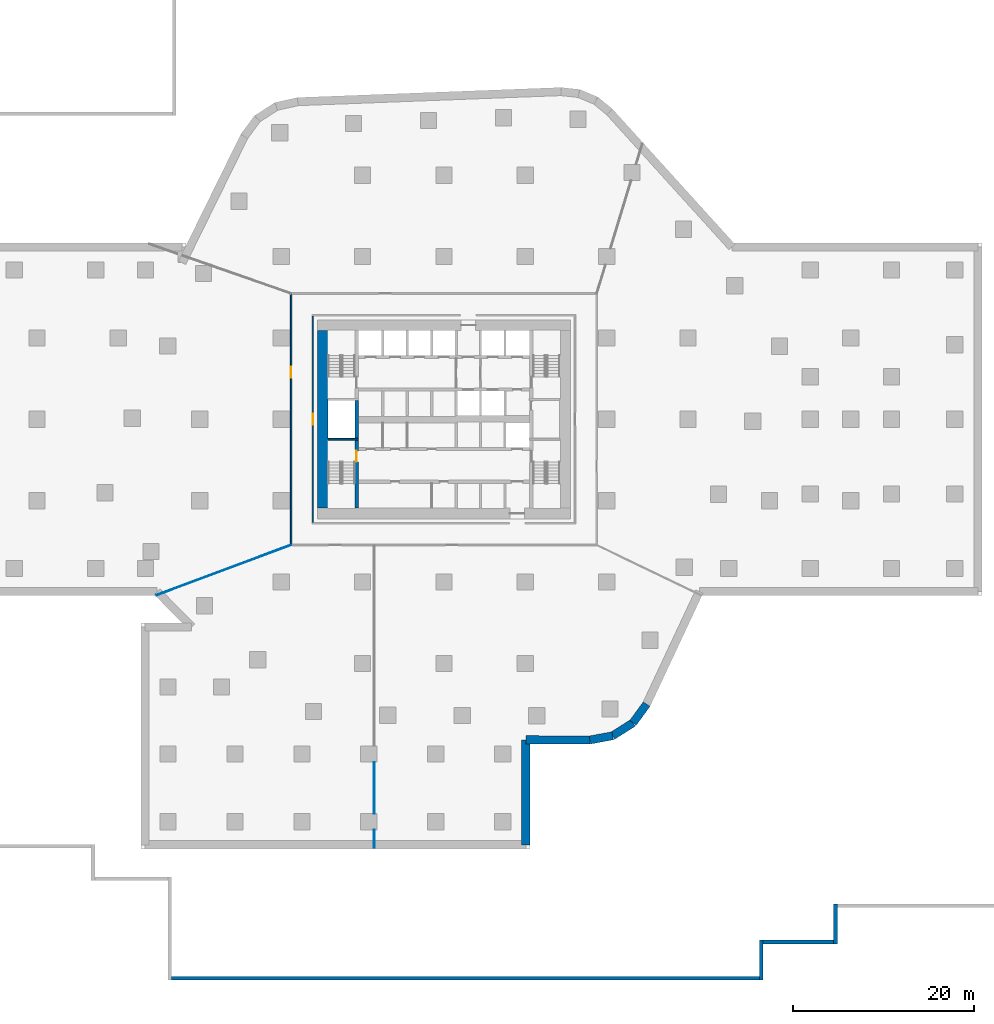
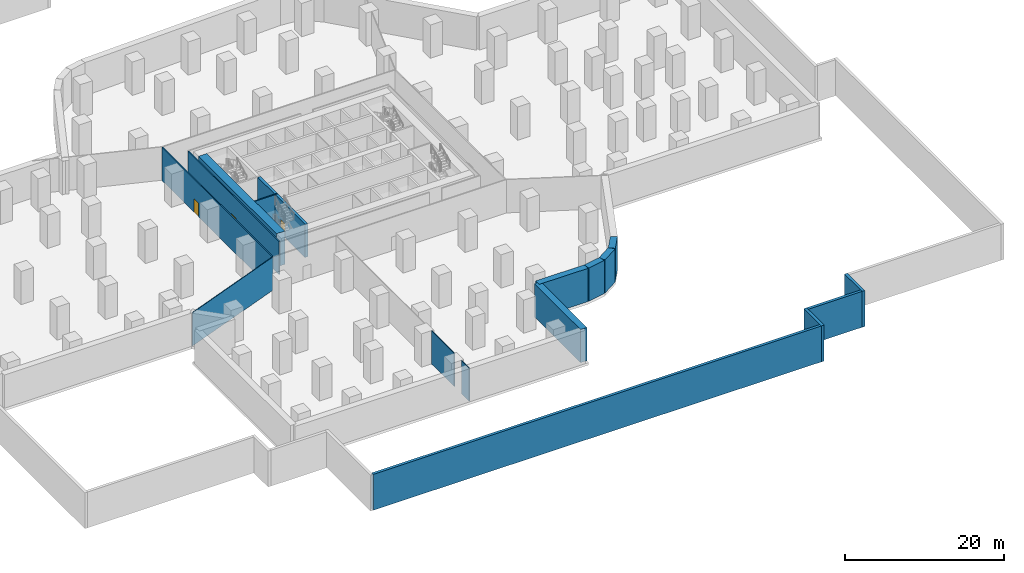
# One storey, part 2 of 9: 18 walls, 3 doors, 3 openings.
"""IFC4 building model written with IfcOpenShell, lengths in metres."""

from ifc_helpers import new_model, si_unit, direction, frame, frame_2d, origin, place, context, subcontext, project, spatial, rectangle, extrude, material, layer, layer_set, type_object, element, fill, save


model = new_model("IFC4")

# Units and contexts
model_context = context("Model", 3, precision=1e-05, world=origin(), true_north=direction((0.0, 1.0)))
body_context = subcontext(model_context, "Body", "Model", "MODEL_VIEW")
ifc_project = project(units=[si_unit("LENGTHUNIT", "METRE"), si_unit("AREAUNIT", "SQUARE_METRE"), si_unit("VOLUMEUNIT", "CUBIC_METRE"), si_unit("PLANEANGLEUNIT", "RADIAN"), si_unit("MASSUNIT", "GRAM", prefix="KILO")], contexts=[model_context])

# Site, building, storey
site_placement = place(None, origin())
site = spatial("IfcSite", under=ifc_project, at=site_placement, CompositionType="ELEMENT")
building_placement = place(site_placement, origin())
building = spatial("IfcBuilding", under=site, at=building_placement, Name="Dongbaek Canopy Tower", CompositionType="ELEMENT")
storey_placement = place(building_placement, frame((0.0, 0.0, -11.5)))
storey = spatial("IfcBuildingStorey", under=building, at=storey_placement, Name="B2", CompositionType="ELEMENT", Elevation=-11.5)

# Wall
ifc_material_1 = material(Name="Concrete C60/75", Category="concrete")
ifc_layer_1 = layer(ifc_material_1, 1.199951171875)
ifc_layer_set_1 = layer_set([ifc_layer_1], Name="Core outer wall 1200 Concrete C60/75")
wall_type_1 = type_object("IfcWallType", Name="Core outer wall 1200 Concrete C60/75", PredefinedType="SHEAR", material=ifc_layer_set_1)
wall_1_placement = place(storey_placement, frame((-13.39990234375, -9.800048828125, 0.0), z_axis=(0.0, 0.0, 1.0), x_axis=(0.0, 1.0, 0.0)))
element("IfcWall", 1, at=wall_1_placement, inside=storey, type_object=wall_type_1, Name="Core wall", PredefinedType="SHEAR", context=body_context, shape_type="SweptSolid", body=[
    extrude(rectangle(XDim=19.60009765625, YDim=1.199951171875, at=frame_2d((9.800048828125, 0.0))), origin(), (0.0, 0.0, 1.0), 5.10009765625),
])

# Wall, opening, door
ifc_material_2 = material(Name="Gypsum board partition, steel stud, 2 x 15 mm fire board", Category="steel")
ifc_layer_2 = layer(ifc_material_2, 0.14990234375)
ifc_layer_set_2 = layer_set([ifc_layer_2], Name="Fire-rated partition 150 gypsum board")
wall_type_2 = type_object("IfcWallType", Name="Fire-rated partition 150 gypsum board", PredefinedType="PARTITIONING", material=ifc_layer_set_2)
wall_2_placement = place(storey_placement, frame((-14.5, 11.425048828125, 0.0), z_axis=(0.0, 0.0, 1.0), x_axis=(0.0, -1.0, 0.0)))
wall_2 = element("IfcWall", 2, at=wall_2_placement, inside=storey, type_object=wall_type_2, Name="Corridor partition", PredefinedType="PARTITIONING", context=body_context, shape_type="SweptSolid", body=[
    extrude(rectangle(XDim=22.85009765625, YDim=0.14990234375, at=frame_2d((11.425048828125, 0.0))), origin(), (0.0, 0.0, 1.0), 5.10009765625),
])
opening_1_placement = place(wall_2_placement, frame((10.824951171875, 0.0, 0.0)))
opening_1 = element("IfcOpeningElement", 3, at=opening_1_placement, cuts=wall_2, Name="Opening B2-D006", PredefinedType="OPENING", context=body_context, shape_type="SweptSolid", body=[
    extrude(rectangle(XDim=1.199951171875, YDim=2.10009765625, at=frame_2d((0.60009765625, 1.050048828125))), frame((0.0, 0.0849609375, 0.0), z_axis=(0.0, -1.0, 0.0), x_axis=(1.0, 0.0, 0.0)), (0.0, 0.0, 1.0), 0.169921875),
])
ifc_material_3 = material(Name="Timber veneered door leaf", Category="wood")
door_type_1 = type_object("IfcDoorType", Name="Room door 1200 x 2100", OperationType="SINGLE_SWING_LEFT", PredefinedType="DOOR", material=ifc_material_3)
door_1_placement = place(opening_1_placement, origin())
door_1 = element("IfcDoor", 4, at=door_1_placement, inside=storey, type_object=door_type_1, Name="Door B2-D006", OperationType="SINGLE_SWING_LEFT", OverallHeight=2.10009765625, OverallWidth=1.199951171875, PredefinedType="DOOR", context=body_context, shape_type="SweptSolid", body=[
    extrude(rectangle(XDim=1.199951171875, YDim=2.10009765625, at=frame_2d((0.60009765625, 1.050048828125))), frame((0.0, 0.02490234375, 0.0), z_axis=(0.0, -1.0, 0.0), x_axis=(1.0, 0.0, 0.0)), (0.0, 0.0, 1.0), 0.050048828125),
])
fill(opening_1, door_1)

wall_3_placement = place(storey_placement, frame((-16.89990234375, -13.824951171875, 0.0), z_axis=(0.0, 0.0, 1.0), x_axis=(0.0, 1.0, 0.0)))
wall_3 = element("IfcWall", 5, at=wall_3_placement, inside=storey, type_object=wall_type_2, Name="Corridor partition", PredefinedType="PARTITIONING", context=body_context, shape_type="SweptSolid", body=[
    extrude(rectangle(XDim=27.64990234375, YDim=0.14990234375, at=frame_2d((13.824951171875, 0.0))), origin(), (0.0, 0.0, 1.0), 5.10009765625),
])
opening_2_placement = place(wall_3_placement, frame((18.445068359375, 0.0, 0.0)))
opening_2 = element("IfcOpeningElement", 6, at=opening_2_placement, cuts=wall_3, Name="Opening B2-D001", PredefinedType="OPENING", context=body_context, shape_type="SweptSolid", body=[
    extrude(rectangle(XDim=1.199951171875, YDim=2.10009765625, at=frame_2d((0.60009765625, 1.050048828125))), frame((0.0, 0.0849609375, 0.0), z_axis=(0.0, -1.0, 0.0), x_axis=(1.0, 0.0, 0.0)), (0.0, 0.0, 1.0), 0.169921875),
])
door_2_placement = place(opening_2_placement, origin())
door_2 = element("IfcDoor", 7, at=door_2_placement, inside=storey, type_object=door_type_1, Name="Door B2-D001", OperationType="SINGLE_SWING_RIGHT", OverallHeight=2.10009765625, OverallWidth=1.199951171875, PredefinedType="DOOR", context=body_context, shape_type="SweptSolid", body=[
    extrude(rectangle(XDim=1.199951171875, YDim=2.10009765625, at=frame_2d((0.60009765625, 1.050048828125))), frame((0.0, 0.02490234375, 0.0), z_axis=(0.0, -1.0, 0.0), x_axis=(1.0, 0.0, 0.0)), (0.0, 0.0, 1.0), 0.050048828125),
])
fill(opening_2, door_2)

# Walls
ifc_material_4 = material(Name="Gypsum board partition, steel stud, 2 x 12.5 mm board", Category="steel")
ifc_layer_3 = layer(ifc_material_4, 0.10009765625)
ifc_layer_set_3 = layer_set([ifc_layer_3], Name="Partition 100 gypsum board")
wall_type_3 = type_object("IfcWallType", Name="Partition 100 gypsum board", PredefinedType="PARTITIONING", material=ifc_layer_set_3)
wall_4_placement = place(storey_placement, frame((-31.79638671875, -19.454345703125, 0.0), z_axis=(0.0, 0.0, 1.0), x_axis=(0.936976966906, 0.349391132526, 0.0)))
element("IfcWall", 8, at=wall_4_placement, inside=storey, type_object=wall_type_3, Name="Partition", PredefinedType="PARTITIONING", context=body_context, shape_type="SweptSolid", body=[
    extrude(rectangle(XDim=15.898193359375, YDim=0.10009765625, at=frame_2d((7.94921875, 0.0))), origin(), (0.0, 0.0, 1.0), 5.10009765625),
])
wall_5_placement = place(storey_placement, frame((-7.699951171875, -47.3798828125, 0.0), z_axis=(0.0, 0.0, 1.0), x_axis=(0.0, 1.0, 0.0)))
element("IfcWall", 9, at=wall_5_placement, inside=storey, type_object=wall_type_3, Name="Partition", PredefinedType="PARTITIONING", context=body_context, shape_type="SweptSolid", body=[
    extrude(rectangle(XDim=1.97998046875, YDim=0.10009765625, at=frame_2d((0.989990234375, 0.0))), origin(), (0.0, 0.0, 1.0), 5.10009765625),
])
wall_6_placement = place(storey_placement, frame((-7.699951171875, -43.60009765625, 0.0), z_axis=(0.0, 0.0, 1.0), x_axis=(0.0, 1.0, 0.0)))
element("IfcWall", 10, at=wall_6_placement, inside=storey, type_object=wall_type_3, Name="Partition", PredefinedType="PARTITIONING", context=body_context, shape_type="SweptSolid", body=[
    extrude(rectangle(XDim=5.7001953125, YDim=0.10009765625, at=frame_2d((2.85009765625, 0.0))), origin(), (0.0, 0.0, 1.0), 5.10009765625),
])
ifc_material_5 = material(Name="Concrete C40/50", Category="concrete")
ifc_layer_4 = layer(ifc_material_5, 0.39990234375)
ifc_layer_set_4 = layer_set([ifc_layer_4], Name="Plaza plinth wall 400")
wall_type_4 = type_object("IfcWallType", Name="Plaza plinth wall 400", PredefinedType="SOLIDWALL", material=ifc_layer_set_4)
wall_7_placement = place(storey_placement, frame((-30.10009765625, -61.800048828125, 0.0), z_axis=(0.0, 0.0, 1.0), x_axis=(1.0, 0.0, 0.0)))
element("IfcWall", 11, at=wall_7_placement, inside=storey, type_object=wall_type_4, Name="Plaza plinth wall 27", PredefinedType="SOLIDWALL", context=body_context, shape_type="SweptSolid", body=[
    extrude(rectangle(XDim=65.0, YDim=0.39990234375, at=frame_2d((32.5, 0.0))), origin(), (0.0, 0.0, 1.0), 5.5),
])
wall_8_placement = place(storey_placement, frame((35.10009765625, -62.0, 0.0), z_axis=(0.0, 0.0, 1.0), x_axis=(0.0, 1.0, 0.0)))
element("IfcWall", 12, at=wall_8_placement, inside=storey, type_object=wall_type_4, Name="Plaza plinth wall 28", PredefinedType="SOLIDWALL", context=body_context, shape_type="SweptSolid", body=[
    extrude(rectangle(XDim=4.39990234375, YDim=0.39990234375, at=frame_2d((2.199951171875, 0.0))), origin(), (0.0, 0.0, 1.0), 5.5),
])
wall_9_placement = place(storey_placement, frame((35.300048828125, -57.800048828125, 0.0), z_axis=(0.0, 0.0, 1.0), x_axis=(1.0, 0.0, 0.0)))
element("IfcWall", 13, at=wall_9_placement, inside=storey, type_object=wall_type_4, Name="Plaza plinth wall 30", PredefinedType="SOLIDWALL", context=body_context, shape_type="SweptSolid", body=[
    extrude(rectangle(XDim=7.800048828125, YDim=0.39990234375, at=frame_2d((3.89990234375, 0.0))), origin(), (0.0, 0.0, 1.0), 5.5),
])
wall_10_placement = place(storey_placement, frame((43.300048828125, -58.0, 0.0), z_axis=(0.0, 0.0, 1.0), x_axis=(0.0, 1.0, 0.0)))
element("IfcWall", 14, at=wall_10_placement, inside=storey, type_object=wall_type_4, Name="Plaza plinth wall 31", PredefinedType="SOLIDWALL", context=body_context, shape_type="SweptSolid", body=[
    extrude(rectangle(XDim=4.39990234375, YDim=0.39990234375, at=frame_2d((2.199951171875, 0.0))), origin(), (0.0, 0.0, 1.0), 5.5),
])
ifc_material_6 = material(Name="Concrete C40", Category="concrete")
ifc_layer_5 = layer(ifc_material_6, 0.89990234375)
ifc_layer_set_5 = layer_set([ifc_layer_5], Name="RC RETAINING WALL 900 Concrete C40")
wall_type_5 = type_object("IfcWallType", Name="RC RETAINING WALL 900 Concrete C40", PredefinedType="SHEAR", material=ifc_layer_set_5)
wall_11_placement = place(storey_placement, frame((22.414794921875, -31.49658203125, 0.0), z_axis=(0.0, 0.0, 1.0), x_axis=(-0.587162736068, -0.809468913161, 0.0)))
element("IfcWall", 15, at=wall_11_placement, inside=storey, type_object=wall_type_5, Name="RWALL:B2:20", PredefinedType="SHEAR", context=body_context, shape_type="SweptSolid", body=[
    extrude(rectangle(XDim=2.562255859375, YDim=0.89990234375, at=frame_2d((1.28125, 0.0))), origin(), (0.0, 0.0, 1.0), 5.10009765625),
])
wall_12_placement = place(storey_placement, frame((20.910400390625, -33.570556640625, 0.0), z_axis=(0.0, 0.0, 1.0), x_axis=(-0.845024751893, -0.534727190901, 0.0)))
element("IfcWall", 16, at=wall_12_placement, inside=storey, type_object=wall_type_5, Name="RWALL:B2:21", PredefinedType="SHEAR", context=body_context, shape_type="SweptSolid", body=[
    extrude(rectangle(XDim=2.6640625, YDim=0.89990234375, at=frame_2d((1.33203125, 0.0))), origin(), (0.0, 0.0, 1.0), 5.10009765625),
])
wall_13_placement = place(storey_placement, frame((18.6591796875, -34.9951171875, 0.0), z_axis=(0.0, 0.0, 1.0), x_axis=(-0.98292500595, -0.184006610421, 0.0)))
element("IfcWall", 17, at=wall_13_placement, inside=storey, type_object=wall_type_5, Name="RWALL:B2:22", PredefinedType="SHEAR", context=body_context, shape_type="SweptSolid", body=[
    extrude(rectangle(XDim=2.56201171875, YDim=0.89990234375, at=frame_2d((1.281005859375, 0.0))), origin(), (0.0, 0.0, 1.0), 5.10009765625),
])
wall_14_placement = place(storey_placement, frame((16.140869140625, -35.466552734375, 0.0), z_axis=(0.0, 0.0, 1.0), x_axis=(-0.999989983008, 0.004475922662, 0.0)))
element("IfcWall", 18, at=wall_14_placement, inside=storey, type_object=wall_type_5, Name="RWALL:B2:23", PredefinedType="SHEAR", context=body_context, shape_type="SweptSolid", body=[
    extrude(rectangle(XDim=7.0908203125, YDim=0.89990234375, at=frame_2d((3.54541015625, 0.0))), origin(), (0.0, 0.0, 1.0), 5.10009765625),
])
wall_15_placement = place(storey_placement, frame((9.050048828125, -35.434814453125, 0.0), z_axis=(0.0, 0.0, 1.0), x_axis=(0.0, -1.0, 0.0)))
element("IfcWall", 19, at=wall_15_placement, inside=storey, type_object=wall_type_5, Name="RWALL:B2:24", PredefinedType="SHEAR", context=body_context, shape_type="SweptSolid", body=[
    extrude(rectangle(XDim=11.615234375, YDim=0.89990234375, at=frame_2d((5.8076171875, 0.0))), origin(), (0.0, 0.0, 1.0), 5.10009765625),
])
ifc_material_7 = material(Name="Concrete C60/75", Category="concrete")
ifc_layer_6 = layer(ifc_material_7, 0.199951171875)
ifc_layer_set_6 = layer_set([ifc_layer_6], Name="Riser wall 200 Concrete C60/75")
wall_type_6 = type_object("IfcWallType", Name="Riser wall 200 Concrete C60/75", PredefinedType="SHEAR", material=ifc_layer_set_6)
wall_16_placement = place(storey_placement, frame((-9.449951171875, -2.199951171875, 0.0), z_axis=(0.0, 0.0, 1.0), x_axis=(-1.0, 0.0, 0.0)))
element("IfcWall", 20, at=wall_16_placement, inside=storey, type_object=wall_type_6, Name="Riser wall", PredefinedType="SHEAR", context=body_context, shape_type="SweptSolid", body=[
    extrude(rectangle(XDim=3.35009765625, YDim=0.199951171875, at=frame_2d((1.675048828125, 0.0))), origin(), (0.0, 0.0, 1.0), 5.10009765625),
])

# Wall, opening, door
ifc_material_8 = material(Name="Concrete C60/75", Category="concrete")
ifc_layer_7 = layer(ifc_material_8, 0.39990234375)
ifc_layer_set_7 = layer_set([ifc_layer_7], Name="Stair wall 400 Concrete C60/75")
wall_type_7 = type_object("IfcWallType", Name="Stair wall 400 Concrete C60/75", PredefinedType="SHEAR", material=ifc_layer_set_7)
wall_17_placement = place(storey_placement, frame((-9.64990234375, -9.800048828125, 0.0), z_axis=(0.0, 0.0, 1.0), x_axis=(0.0, 1.0, 0.0)))
wall_17 = element("IfcWall", 21, at=wall_17_placement, inside=storey, type_object=wall_type_7, Name="Stair wall", PredefinedType="SHEAR", context=body_context, shape_type="SweptSolid", body=[
    extrude(rectangle(XDim=7.5, YDim=0.39990234375, at=frame_2d((3.75, 0.0))), origin(), (0.0, 0.0, 1.0), 5.10009765625),
])
opening_3_placement = place(wall_17_placement, frame((5.10009765625, 0.0, 0.0)))
opening_3 = element("IfcOpeningElement", 22, at=opening_3_placement, cuts=wall_17, Name="Opening B2-D031", PredefinedType="OPENING", context=body_context, shape_type="SweptSolid", body=[
    extrude(rectangle(XDim=1.199951171875, YDim=2.10009765625, at=frame_2d((0.60009765625, 1.050048828125))), frame((0.0, 0.2099609375, 0.0), z_axis=(0.0, -1.0, 0.0), x_axis=(1.0, 0.0, 0.0)), (0.0, 0.0, 1.0), 0.419921875),
])
ifc_material_9 = material(Name="Steel", Category="steel")
door_type_2 = type_object("IfcDoorType", Name="Stair door 1200 x 2100", OperationType="SINGLE_SWING_LEFT", PredefinedType="DOOR", material=ifc_material_9)
door_3_placement = place(opening_3_placement, origin())
door_3 = element("IfcDoor", 23, at=door_3_placement, inside=storey, type_object=door_type_2, Name="Stair D door", OperationType="SINGLE_SWING_LEFT", OverallHeight=2.10009765625, OverallWidth=1.199951171875, PredefinedType="DOOR", context=body_context, shape_type="SweptSolid", body=[
    extrude(rectangle(XDim=1.199951171875, YDim=2.10009765625, at=frame_2d((0.60009765625, 1.050048828125))), frame((0.0, 0.02490234375, 0.0), z_axis=(0.0, -1.0, 0.0), x_axis=(1.0, 0.0, 0.0)), (0.0, 0.0, 1.0), 0.050048828125),
])
fill(opening_3, door_3)

# Wall
wall_18_placement = place(storey_placement, frame((-9.64990234375, -2.10009765625, 0.0), z_axis=(0.0, 0.0, 1.0), x_axis=(0.0, 1.0, 0.0)))
element("IfcWall", 24, at=wall_18_placement, inside=storey, type_object=wall_type_7, Name="Stair wall", PredefinedType="SHEAR", context=body_context, shape_type="SweptSolid", body=[
    extrude(rectangle(XDim=4.2001953125, YDim=0.39990234375, at=frame_2d((2.10009765625, 0.0))), origin(), (0.0, 0.0, 1.0), 5.10009765625),
])

save(model, "model.ifc")
